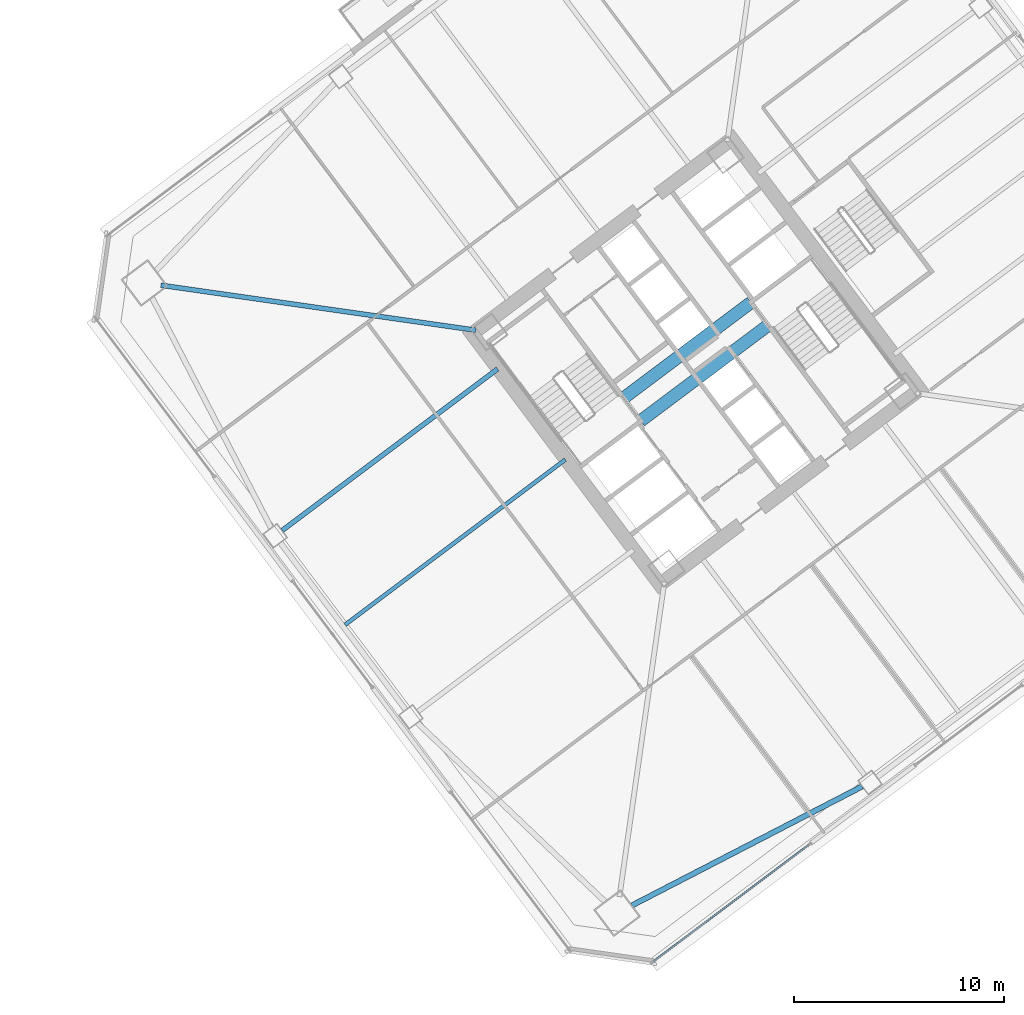
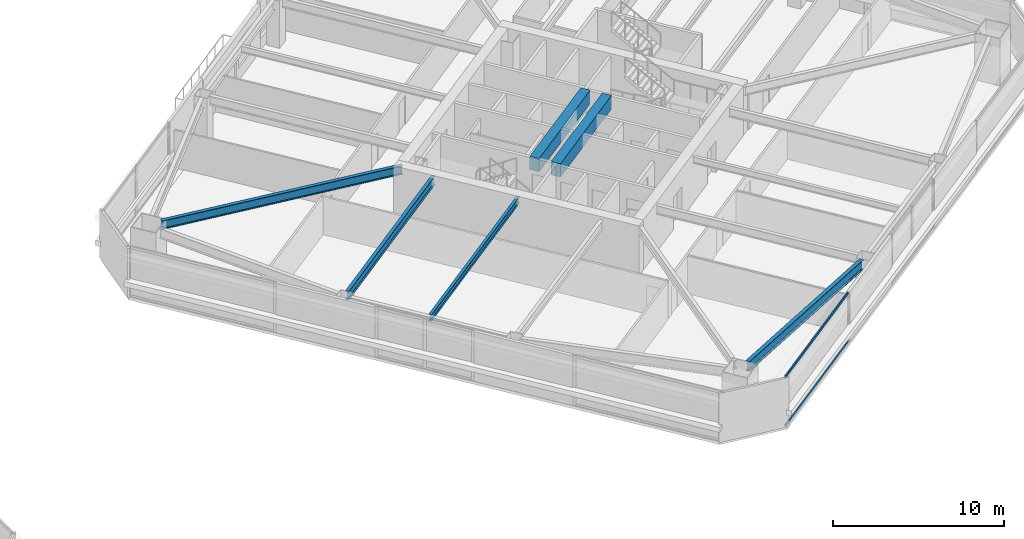
# One storey, part 21 of 46: 6 beams, 2 members, 1 element without a shape of its own.
"""IFC4 building model written with IfcOpenShell, lengths in metres."""

import ifcopenshell
import ifcopenshell.guid

model = None  # the IFC model being written
_history = None  # IfcOwnerHistory: only IFC2X3 demands one
_inside = {}  # id of a spatial element -> (the spatial element, [elements in it])
_under = {}  # id of a project, library or spatial element -> (it, [spatial elements below it])
_declared = {}  # id of a project -> (the project, [libraries it declares])
_typed = {}  # id of a type object -> (the type object, [elements of that type])
_made_of = {}  # id of a material, layer set ... -> (it, [elements and type objects made of it])


def new_model(schema):
    """Start an empty IFC model of exactly this schema.

    Asked for "IFC4X3", IfcOpenShell would pick the latest addendum, in which some entities
    have other attributes; the version numbers below select the first issue.
    IFC2X3 requires an IfcOwnerHistory on every rooted entity: one is made here for all.
    """
    global model, _history
    if schema == "IFC4X3":
        model = ifcopenshell.file(schema_version=(4, 3, 0, 0))
    else:
        model = ifcopenshell.file(schema=schema)
    _inside.clear()
    _under.clear()
    _declared.clear()
    _typed.clear()
    _made_of.clear()
    _history = None
    if model.schema == "IFC2X3":
        org = make("IfcOrganization", Name="unknown")
        user = make(
            "IfcPersonAndOrganization",
            ThePerson=make("IfcPerson", FamilyName="unknown"),
            TheOrganization=org,
        )
        app = make(
            "IfcApplication",
            ApplicationDeveloper=org,
            Version="unknown",
            ApplicationFullName="unknown",
            ApplicationIdentifier="unknown",
        )
        _history = make(
            "IfcOwnerHistory",
            OwningUser=user,
            OwningApplication=app,
            ChangeAction="ADDED",
            CreationDate=0,
        )
    return model


def make(cls, **values):
    """One entity of the class cls with the attributes given. An attribute that is None is left unset."""
    return model.create_entity(
        cls, **{name: value for name, value in values.items() if value is not None}
    )


def rooted(cls, **values):
    """An entity with a GlobalId (a new one), such as an element, a storey or a relation."""
    return make(cls, GlobalId=ifcopenshell.guid.new(), OwnerHistory=_history, **values)


def si_unit(unit_type, name, prefix=None):
    """IfcSIUnit, for example si_unit("LENGTHUNIT", "METRE", prefix="MILLI")."""
    return make("IfcSIUnit", UnitType=unit_type, Prefix=prefix, Name=name)


def assignment(units):
    """IfcUnitAssignment: the units of a project."""
    return None if units is None else make("IfcUnitAssignment", Units=units)


def point(xyz):
    """IfcCartesianPoint."""
    return None if xyz is None else make("IfcCartesianPoint", Coordinates=xyz)


def direction(xyz):
    """IfcDirection."""
    return None if xyz is None else make("IfcDirection", DirectionRatios=xyz)


def frame(location, z_axis=None, x_axis=None):
    """IfcAxis2Placement3D, a coordinate frame: its origin and axes. An axis left out is left unset."""
    return make(
        "IfcAxis2Placement3D",
        Location=point(location),
        Axis=direction(z_axis),
        RefDirection=direction(x_axis),
    )


def frame_2d(location, x_axis=None):
    """IfcAxis2Placement2D, a coordinate frame in the plane: its origin and x axis."""
    return make(
        "IfcAxis2Placement2D", Location=point(location), RefDirection=direction(x_axis)
    )


def origin():
    """The frame at (0, 0, 0) with its axes left unset."""
    return frame((0.0, 0.0, 0.0))


def origin_2d():
    """The frame at (0, 0) in the plane with its x axis left unset."""
    return frame_2d((0.0, 0.0))


def place(relative_to, where):
    """IfcLocalPlacement: puts the frame where relative to a parent placement (None: the world)."""
    return make(
        "IfcLocalPlacement", PlacementRelTo=relative_to, RelativePlacement=where
    )


def context(
    kind, dimensions, precision=None, world=None, true_north=None, identifier=None
):
    """IfcGeometricRepresentationContext, for example the 3D "Model" context."""
    return make(
        "IfcGeometricRepresentationContext",
        ContextIdentifier=identifier,
        ContextType=kind,
        CoordinateSpaceDimension=dimensions,
        Precision=precision,
        WorldCoordinateSystem=world,
        TrueNorth=true_north,
    )


def subcontext(parent, identifier, kind, view, scale=None):
    """IfcGeometricRepresentationSubContext, for example "Body" below "Model"."""
    return make(
        "IfcGeometricRepresentationSubContext",
        ContextIdentifier=identifier,
        ContextType=kind,
        ParentContext=parent,
        TargetScale=scale,
        TargetView=view,
    )


def project(units=None, contexts=None):
    """IfcProject with its units and contexts."""
    return rooted(
        "IfcProject",
        Name="project",
        RepresentationContexts=contexts,
        UnitsInContext=assignment(units),
    )


def spatial(cls, under=None, at=None, **own):
    """A site, building, storey or space (cls), placed at a placement, below another one or the project."""
    s = rooted(cls, ObjectPlacement=at, **own)
    if under is not None:
        _under.setdefault(under.id(), (under, []))[1].append(s)
    return s


def profile(cls, at=None, kind="AREA", **sizes):
    """A parametric profile (cls). Its sizes go by their IFC names, for example OverallWidth=200.0."""
    return make(cls, ProfileType=kind, Position=at, **sizes)


def rectangle(**sizes):
    """IfcRectangleProfileDef."""
    return profile("IfcRectangleProfileDef", **sizes)


def hollow_rectangle(**sizes):
    """IfcRectangleHollowProfileDef."""
    return profile("IfcRectangleHollowProfileDef", **sizes)


def i_section(**sizes):
    """IfcIShapeProfileDef."""
    return profile("IfcIShapeProfileDef", **sizes)


def extrude(swept, where, along, depth):
    """IfcExtrudedAreaSolid: the profile swept, set in the frame where, extruded along a direction by depth."""
    return make(
        "IfcExtrudedAreaSolid",
        SweptArea=swept,
        Position=where,
        ExtrudedDirection=direction(along),
        Depth=depth,
    )


def shape(context_of_items, identifier, shape_type, items):
    """IfcShapeRepresentation: the items that make up one representation, for example the "Body"."""
    return make(
        "IfcShapeRepresentation",
        ContextOfItems=context_of_items,
        RepresentationIdentifier=identifier,
        RepresentationType=shape_type,
        Items=items,
    )


def material(Name=None, Category=None):
    """IfcMaterial."""
    return make("IfcMaterial", Name=Name, Category=Category)


def material_profile(
    of_material, cross_section, Name=None, Category=None, Priority=None
):
    """IfcMaterialProfile: a cross section and its material."""
    return make(
        "IfcMaterialProfile",
        Name=Name,
        Material=of_material,
        Profile=cross_section,
        Priority=Priority,
        Category=Category,
    )


def profile_set(profiles, Name=None, composite=None):
    """IfcMaterialProfileSet."""
    return make(
        "IfcMaterialProfileSet",
        Name=Name,
        MaterialProfiles=profiles,
        CompositeProfile=composite,
    )


def made_of(thing, what):
    """Note that an element or type object is made of a material, layer set ...; save() writes the relation."""
    if what is not None:
        _made_of.setdefault(what.id(), (what, []))[1].append(thing)
    return thing


def type_object(cls, material=None, **own):
    """A type object (cls), such as IfcWallType, which elements share."""
    return made_of(rooted(cls, **own), material)


def element(
    cls,
    number,
    at=None,
    inside=None,
    cuts=None,
    type_object=None,
    material=None,
    context=None,
    identifier="Body",
    shape_type=None,
    held_by="IfcProductDefinitionShape",
    body=None,
    shapes=None,
    **own,
):
    """One element of the class cls, such as IfcWall. Its Tag is "e" and its number.

    at: its placement. inside: the storey or other place that contains it. cuts: it is an
    opening in that element (IfcRelVoidsElement). A single representation is given by context,
    identifier, shape_type and body (its items); several are given by shapes. held_by: the class
    of the entity that holds the representations. save() writes the other relations.
    """
    e = rooted(cls, Tag="e%d" % number, ObjectPlacement=at, **own)
    if body is not None:
        shapes = [shape(context, identifier, shape_type, body)]
    if shapes is not None:
        e.Representation = make(held_by, Representations=shapes)
    if inside is not None:
        _inside.setdefault(inside.id(), (inside, []))[1].append(e)
    if cuts is not None:
        rooted(
            "IfcRelVoidsElement", RelatingBuildingElement=cuts, RelatedOpeningElement=e
        )
    if type_object is not None:
        _typed.setdefault(type_object.id(), (type_object, []))[1].append(e)
    return made_of(e, material)


def aggregate(whole, parts):
    """IfcRelAggregates: a whole, such as a stair, and the parts it consists of."""
    return rooted("IfcRelAggregates", RelatingObject=whole, RelatedObjects=parts)


def save(model, path):
    """Write the relations noted so far, then the file.

    IfcRelAggregates (storeys below a building ...), IfcRelContainedInSpatialStructure (elements
    in a storey), IfcRelDefinesByType, IfcRelAssociatesMaterial and IfcRelDeclares: one each for
    every whole, place, type object, material and project.
    """
    for whole, parts in _under.values():
        aggregate(whole, parts)
    for where, things in _inside.values():
        rooted(
            "IfcRelContainedInSpatialStructure",
            RelatedElements=things,
            RelatingStructure=where,
        )
    for kind, things in _typed.values():
        rooted("IfcRelDefinesByType", RelatedObjects=things, RelatingType=kind)
    for what, things in _made_of.values():
        rooted("IfcRelAssociatesMaterial", RelatedObjects=things, RelatingMaterial=what)
    for by, libraries in _declared.values():
        rooted("IfcRelDeclares", RelatingContext=by, RelatedDefinitions=libraries)
    model.write(path)


model = new_model("IFC4")

# Units and contexts
model_context = context("Model", 3, precision=1e-05, world=origin(), true_north=direction((0.0, 1.0)))
body_context = subcontext(model_context, "Body", "Model", "MODEL_VIEW")
ifc_project = project(units=[si_unit("LENGTHUNIT", "METRE"), si_unit("AREAUNIT", "SQUARE_METRE"), si_unit("VOLUMEUNIT", "CUBIC_METRE"), si_unit("PLANEANGLEUNIT", "RADIAN"), si_unit("MASSUNIT", "GRAM", prefix="KILO")], contexts=[model_context])

# Site, building, storey
site_placement = place(None, origin())
site = spatial("IfcSite", under=ifc_project, at=site_placement, CompositionType="ELEMENT")
building_placement = place(site_placement, origin())
building = spatial("IfcBuilding", under=site, at=building_placement, Name="Tashvorn Skyway Center", CompositionType="ELEMENT")
storey_placement = place(building_placement, frame((0.0, 0.0, 38.800048828125)))
storey = spatial("IfcBuildingStorey", under=building, at=storey_placement, Name="L09", CompositionType="ELEMENT", Elevation=38.800048828125)

# Beams
ifc_material_1 = material(Name="Steel ASTM A992 Grade 50", Category="steel")
ifc_material_profile_1 = material_profile(ifc_material_1, i_section(OverallWidth=0.22998046875, OverallDepth=0.616943359375, WebThickness=0.01318359375, FlangeThickness=0.022216796875, at=origin_2d()), Name="W24X94")
ifc_profile_set_1 = profile_set([ifc_material_profile_1], Name="Steel ASTM A992 Grade 50")
beam_type_1 = type_object("IfcBeamType", Name="BM-BEAM-W24X94", PredefinedType="BEAM", material=ifc_profile_set_1)
beam_1_placement = place(storey_placement, frame((88.467041015625, 35.6474609375, 3.04150390625), z_axis=(0.989950458816, -0.141414599991, 0.0), x_axis=(0.141414599991, 0.989950458816, 0.0)))
element("IfcBeam", 1, at=beam_1_placement, inside=storey, type_object=beam_type_1, Name="Tower 2 L09 Primary Floor Girder MC-NW", PredefinedType="BEAM", context=body_context, shape_type="SweptSolid", body=[
    extrude(i_section(OverallWidth=0.22998046875, OverallDepth=0.616943359375, WebThickness=0.01318359375, FlangeThickness=0.022216796875, at=origin_2d()), origin(), (0.0, 0.0, 1.0), 15.177001953125),
])
beam_2_placement = place(storey_placement, frame((94.256103515625, 23.94189453125, 3.04150390625), z_axis=(0.799986320265, 0.600018239213, 0.0), x_axis=(-0.600018239213, 0.799986320265, 0.0)))
element("IfcBeam", 2, at=beam_2_placement, inside=storey, type_object=beam_type_1, Name="Tower 2 L09 Primary Floor Girder FC-W1", PredefinedType="BEAM", context=body_context, shape_type="SweptSolid", body=[
    extrude(i_section(OverallWidth=0.22998046875, OverallDepth=0.616943359375, WebThickness=0.01318359375, FlangeThickness=0.022216796875, at=origin_2d()), origin(), (0.0, 0.0, 1.0), 12.849853515625),
])
ifc_material_profile_2 = material_profile(ifc_material_1, i_section(OverallWidth=0.19091796875, OverallDepth=0.4599609375, WebThickness=0.010009765625, FlangeThickness=0.01611328125, at=origin_2d()), Name="W18X55")
ifc_profile_set_2 = profile_set([ifc_material_profile_2], Name="Steel ASTM A992 Grade 50")
beam_type_2 = type_object("IfcBeamType", Name="BM-JOIST-W18X55", PredefinedType="JOIST", material=ifc_profile_set_2)
beam_3_placement = place(storey_placement, frame((107.76806640625, 27.325927734375, 3.119873046875), z_axis=(-0.799997770398, -0.600002972791, 0.0), x_axis=(0.600002972791, -0.799997770398, 0.0)))
element("IfcBeam", 3, at=beam_3_placement, inside=storey, type_object=beam_type_2, Name="Tower 2 L09 Secondary Composite Joist JW", PredefinedType="JOIST", context=body_context, shape_type="SweptSolid", body=[
    extrude(i_section(OverallWidth=0.19091796875, OverallDepth=0.4599609375, WebThickness=0.010009765625, FlangeThickness=0.01611328125, at=origin_2d()), origin(), (0.0, 0.0, 1.0), 13.139892578125),
])
ifc_material_2 = material(Name="Concrete C60/75", Category="concrete")
ifc_material_profile_3 = material_profile(ifc_material_2, rectangle(XDim=0.60009765625, YDim=0.949951171875, at=origin_2d()), Name="RCB600x950")
ifc_profile_set_3 = profile_set([ifc_material_profile_3], Name="Concrete C60/75")
beam_type_3 = type_object("IfcBeamType", Name="BM-LINTEL-RCB600x950", PredefinedType="LINTEL", material=ifc_profile_set_3)
for number, where, z_axis, x_axis, name in (
    (4, (110.552001953125, 30.263916015625, 2.875), (0.8, 0.6, 0.0), (-0.6, 0.8, 0.0), "Tower 2 L09 Core Coupling Beam CN"),
    (5, (111.367919921875, 29.176025390625, 2.875), (0.8, 0.6, 0.0), (-0.6, 0.8, 0.0), "Tower 2 L09 Core Coupling Beam CS"),
):
    element("IfcBeam", number, at=place(storey_placement, frame(where, z_axis=z_axis, x_axis=x_axis)), inside=storey, type_object=beam_type_3, Name=name, PredefinedType="LINTEL", context=body_context, shape_type="SweptSolid", body=[
        extrude(rectangle(XDim=0.60009765625, YDim=0.949951171875, at=origin_2d()), origin(), (0.0, 0.0, 1.0), 7.60009765625),
    ])
ifc_material_profile_4 = material_profile(ifc_material_1, i_section(OverallWidth=0.256103515625, OverallDepth=0.693115234375, WebThickness=0.014404296875, FlangeThickness=0.023681640625, at=origin_2d()), Name="W27X114")
ifc_profile_set_4 = profile_set([ifc_material_profile_4], Name="Steel ASTM A992 Grade 50")
beam_type_4 = type_object("IfcBeamType", Name="BM-SPANDREL-W27X114", PredefinedType="SPANDREL", material=ifc_profile_set_4)
beam_4_placement = place(storey_placement, frame((110.9462890625, 6.045166015625, 3.00341796875), z_axis=(0.888315637339, 0.459233413919, 0.0), x_axis=(-0.459233413919, 0.888315637339, 0.0)))
element("IfcBeam", 6, at=beam_4_placement, inside=storey, type_object=beam_type_4, Name="Tower 2 L09 Spandrel Beam 01", PredefinedType="SPANDREL", context=body_context, shape_type="SweptSolid", body=[
    extrude(i_section(OverallWidth=0.256103515625, OverallDepth=0.693115234375, WebThickness=0.014404296875, FlangeThickness=0.023681640625, at=origin_2d()), origin(), (0.0, 0.0, 1.0), 12.37255859375),
])

# Curtain wall, members
ifc_material_3 = material(Name="Thermally broken bronze-anodized aluminium 6063-T6", Category="aluminium")
curtain_wall_type = type_object("IfcCurtainWallType", Name="CW-CW-Z1", PredefinedType="NOTDEFINED", material=ifc_material_3)
curtain_wall_placement = place(storey_placement, origin())
curtain_wall = element("IfcCurtainWall", 7, at=curtain_wall_placement, inside=storey, type_object=curtain_wall_type, Name="Tower 2 L09 South Unitised Curtain Wall Glazing Group 3", PredefinedType="NOTDEFINED")
ifc_material_profile_5 = material_profile(ifc_material_3, hollow_rectangle(XDim=0.0849609375, YDim=0.1650390625, WallThickness=0.0048828125, at=origin_2d()), Name="ALU-TRAN-85x165")
ifc_profile_set_5 = profile_set([ifc_material_profile_5], Name="Thermally broken bronze-anodized aluminium 6063-T6")
member_type = type_object("IfcMemberType", Name="CWT-CW-Z1", PredefinedType="USERDEFINED", material=ifc_profile_set_5)
member_1_placement = place(storey_placement, frame((119.387939453125, 8.94091796875, 0.04248046875), z_axis=(-0.8, -0.6, 0.0), x_axis=(0.6, -0.8, 0.0)))
member_1 = element("IfcMember", 8, at=member_1_placement, type_object=member_type, Name="CW-Z1 transom 1.1", ObjectType="TRANSOM", PredefinedType="USERDEFINED", context=body_context, shape_type="SweptSolid", body=[
    extrude(hollow_rectangle(XDim=0.0849609375, YDim=0.1650390625, WallThickness=0.0048828125, at=origin_2d()), origin(), (0.0, 0.0, 1.0), 9.27001953125),
])
member_2_placement = place(storey_placement, frame((119.387939453125, 8.94091796875, 3.507568359375), z_axis=(-0.8, -0.6, 0.0), x_axis=(0.6, -0.8, 0.0)))
member_2 = element("IfcMember", 9, at=member_2_placement, type_object=member_type, Name="CW-Z1 transom 1.2", ObjectType="TRANSOM", PredefinedType="USERDEFINED", context=body_context, shape_type="SweptSolid", body=[
    extrude(hollow_rectangle(XDim=0.0849609375, YDim=0.1650390625, WallThickness=0.0048828125, at=origin_2d()), origin(), (0.0, 0.0, 1.0), 9.27001953125),
])
aggregate(curtain_wall, [member_1, member_2])

save(model, "model.ifc")
